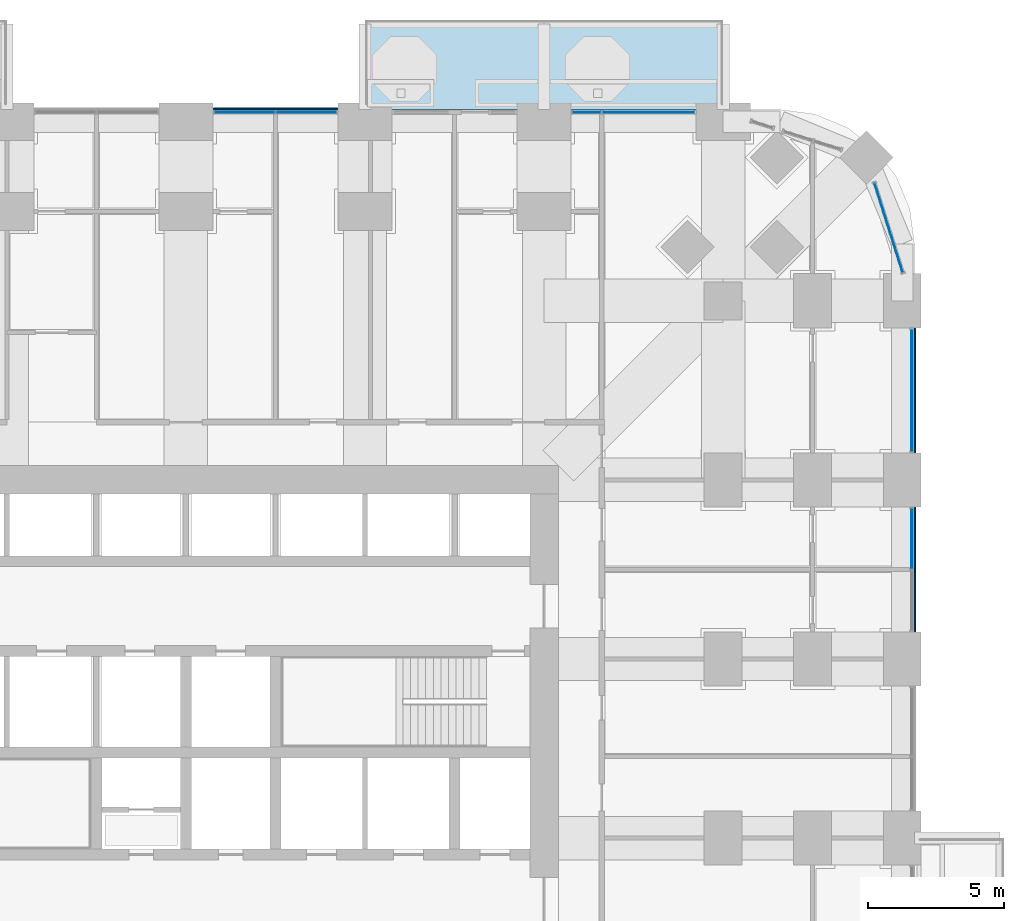
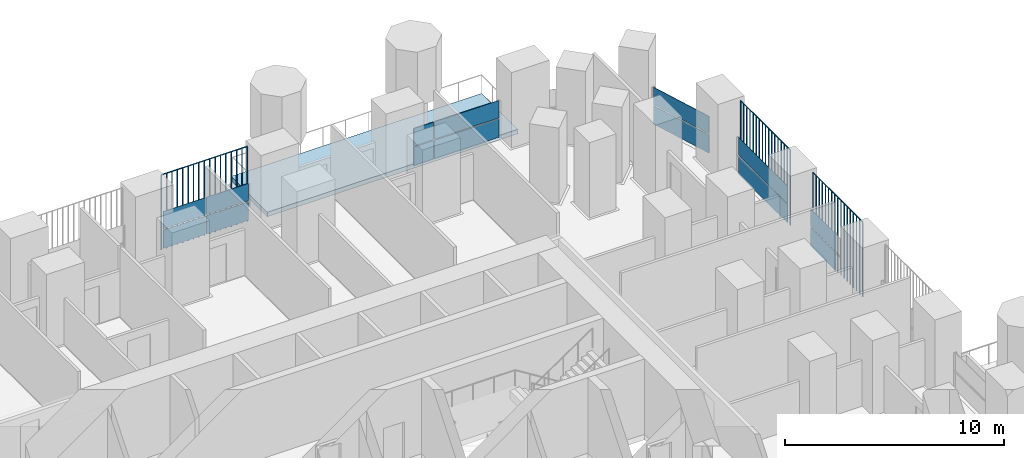
# One storey, part 15 of 27: 17 plates, 1 slab, 5 elements without a shape of their own.
"""IFC4 building model written with IfcOpenShell, lengths in metres."""

from ifc_helpers import new_model, si_unit, direction, frame, origin, origin_2d, place, context, subcontext, project, spatial, polyline, rectangle, outline, extrude, material, layer, layer_set, type_object, element, aggregate, save


model = new_model("IFC4")

# Units and contexts
model_context = context("Model", 3, precision=1e-05, world=origin(), true_north=direction((0.0, 1.0)))
body_context = subcontext(model_context, "Body", "Model", "MODEL_VIEW")
ifc_project = project(units=[si_unit("LENGTHUNIT", "METRE"), si_unit("AREAUNIT", "SQUARE_METRE"), si_unit("VOLUMEUNIT", "CUBIC_METRE"), si_unit("PLANEANGLEUNIT", "RADIAN"), si_unit("MASSUNIT", "GRAM", prefix="KILO")], contexts=[model_context])

# Site, building, storey
site_placement = place(None, origin())
site = spatial("IfcSite", under=ifc_project, at=site_placement, CompositionType="ELEMENT")
building_placement = place(site_placement, origin())
building = spatial("IfcBuilding", under=site, at=building_placement, Name="Cobogo Forest Laboratory Tower", CompositionType="ELEMENT")
storey_placement = place(building_placement, frame((0.0, 0.0, 71.699951171875)))
storey = spatial("IfcBuildingStorey", under=building, at=storey_placement, Name="L16", CompositionType="ELEMENT", Elevation=71.699951171875)

# Slab
ifc_material_1 = material(Name="Concrete HA-40 (C40/50)", Category="concrete")
ifc_layer_1 = layer(ifc_material_1, 0.25)
ifc_layer_set_1 = layer_set([ifc_layer_1], Name="Balcony slab 250")
slab_type = type_object("IfcSlabType", Name="Balcony slab 250", PredefinedType="FLOOR", material=ifc_layer_set_1)
slab_placement = place(storey_placement, frame((0.0, 0.0, -0.25)))
element("IfcSlab", 1, at=slab_placement, inside=storey, type_object=slab_type, Name="Balcony BAL-N2 L16", PredefinedType="FLOOR", context=body_context, shape_type="SweptSolid", body=[
    extrude(outline(polyline([(33.0, 46.64990234375), (46.199951171875, 46.64990234375), (46.199951171875, 49.949951171875), (33.0, 49.949951171875), (33.0, 46.64990234375)])), origin(), (0.0, 0.0, 1.0), 0.25),
])

# Curtain wall, plates
ifc_material_2 = material(Name="Aluminium curtain wall", Category="aluminium")
curtain_wall_type = type_object("IfcCurtainWallType", Name="CW-1 unitised curtain wall, clear glazing, laboratory floors zones A and B", PredefinedType="USERDEFINED", material=ifc_material_2)
curtain_wall_1_placement = place(storey_placement, origin())
curtain_wall_1 = element("IfcCurtainWall", 2, at=curtain_wall_1_placement, inside=storey, type_object=curtain_wall_type, Name="Curtain wall 13 L16", ObjectType="UNITISED CURTAIN WALL", PredefinedType="USERDEFINED")
ifc_material_3 = material(Name="Clear insulated glass", Category="glass")
ifc_layer_2 = layer(ifc_material_3, 0.028076171875)
ifc_layer_set_2 = layer_set([ifc_layer_2], Name="GP-1 clear insulated glass unit 28")
plate_type_1 = type_object("IfcPlateType", Name="GP-1 clear insulated glass unit 28", PredefinedType="CURTAIN_PANEL", material=ifc_layer_set_2)
plate_1_placement = place(storey_placement, frame((53.14990234375, 30.8349609375, 0.0), z_axis=(0.0, 0.0, 1.0), x_axis=(0.0, 1.0, 0.0)))
plate_1 = element("IfcPlate", 3, at=plate_1_placement, type_object=plate_type_1, Name="CW-1 panel 2.1", PredefinedType="CURTAIN_PANEL", context=body_context, shape_type="SweptSolid", body=[
    extrude(rectangle(XDim=2.2099609375, YDim=0.028076171875, at=origin_2d()), origin(), (0.0, 0.0, 1.0), 1.02001953125),
])
plate_2_placement = place(storey_placement, frame((53.14990234375, 30.8349609375, 1.080078125), z_axis=(0.0, 0.0, 1.0), x_axis=(0.0, 1.0, 0.0)))
plate_2 = element("IfcPlate", 4, at=plate_2_placement, type_object=plate_type_1, Name="CW-1 panel 2.2", PredefinedType="CURTAIN_PANEL", context=body_context, shape_type="SweptSolid", body=[
    extrude(rectangle(XDim=2.2099609375, YDim=0.028076171875, at=origin_2d()), origin(), (0.0, 0.0, 1.0), 0.969970703125),
])
aggregate(curtain_wall_1, [plate_1, plate_2])

curtain_wall_2_placement = place(storey_placement, origin())
curtain_wall_2 = element("IfcCurtainWall", 5, at=curtain_wall_2_placement, inside=storey, type_object=curtain_wall_type, Name="Curtain wall 14 L16", ObjectType="UNITISED CURTAIN WALL", PredefinedType="USERDEFINED")
plate_3_placement = place(storey_placement, frame((53.14990234375, 36.300048828125, 0.0), z_axis=(0.0, 0.0, 1.0), x_axis=(0.0, 1.0, 0.0)))
plate_3 = element("IfcPlate", 6, at=plate_3_placement, type_object=plate_type_1, Name="CW-1 panel 1.1", PredefinedType="CURTAIN_PANEL", context=body_context, shape_type="SweptSolid", body=[
    extrude(rectangle(XDim=4.47998046875, YDim=0.028076171875, at=origin_2d()), origin(), (0.0, 0.0, 1.0), 1.02001953125),
])
plate_4_placement = place(storey_placement, frame((53.14990234375, 36.300048828125, 1.080078125), z_axis=(0.0, 0.0, 1.0), x_axis=(0.0, 1.0, 0.0)))
plate_4 = element("IfcPlate", 7, at=plate_4_placement, type_object=plate_type_1, Name="CW-1 panel 1.2", PredefinedType="CURTAIN_PANEL", context=body_context, shape_type="SweptSolid", body=[
    extrude(rectangle(XDim=4.47998046875, YDim=0.028076171875, at=origin_2d()), origin(), (0.0, 0.0, 1.0), 0.969970703125),
])
aggregate(curtain_wall_2, [plate_3, plate_4])

curtain_wall_3_placement = place(storey_placement, origin())
curtain_wall_3 = element("IfcCurtainWall", 8, at=curtain_wall_3_placement, inside=storey, type_object=curtain_wall_type, Name="Curtain wall 15 L16", ObjectType="UNITISED CURTAIN WALL", PredefinedType="USERDEFINED")
plate_5_placement = place(storey_placement, frame((52.299072265625, 42.294921875, 0.0), z_axis=(0.0, 0.0, 1.0), x_axis=(-0.301135433696, 0.953581381201, 0.0)))
plate_5 = element("IfcPlate", 9, at=plate_5_placement, type_object=plate_type_1, Name="CW-1 panel 1.1", PredefinedType="CURTAIN_PANEL", context=body_context, shape_type="SweptSolid", body=[
    extrude(rectangle(XDim=3.434814453125, YDim=0.028076171875, at=origin_2d()), origin(), (0.0, 0.0, 1.0), 1.02001953125),
])
plate_6_placement = place(storey_placement, frame((52.299072265625, 42.294921875, 1.080078125), z_axis=(0.0, 0.0, 1.0), x_axis=(-0.301135433696, 0.953581381201, 0.0)))
plate_6 = element("IfcPlate", 10, at=plate_6_placement, type_object=plate_type_1, Name="CW-1 panel 1.2", PredefinedType="CURTAIN_PANEL", context=body_context, shape_type="SweptSolid", body=[
    extrude(rectangle(XDim=3.434814453125, YDim=0.028076171875, at=origin_2d()), origin(), (0.0, 0.0, 1.0), 0.969970703125),
])
aggregate(curtain_wall_3, [plate_5, plate_6])

curtain_wall_4_placement = place(storey_placement, origin())
curtain_wall_4 = element("IfcCurtainWall", 11, at=curtain_wall_4_placement, inside=storey, type_object=curtain_wall_type, Name="Curtain wall 18 L16", ObjectType="UNITISED CURTAIN WALL", PredefinedType="USERDEFINED")
plate_7_placement = place(storey_placement, frame((43.447509765625, 46.550048828125, 0.0), z_axis=(0.0, 0.0, 1.0), x_axis=(-1.0, 0.0, 0.0)))
plate_7 = element("IfcPlate", 12, at=plate_7_placement, type_object=plate_type_1, Name="CW-1 panel 1.1", PredefinedType="CURTAIN_PANEL", context=body_context, shape_type="SweptSolid", body=[
    extrude(rectangle(XDim=3.385009765625, YDim=0.028076171875, at=origin_2d()), origin(), (0.0, 0.0, 1.0), 1.02001953125),
])
plate_8_placement = place(storey_placement, frame((43.447509765625, 46.550048828125, 1.080078125), z_axis=(0.0, 0.0, 1.0), x_axis=(-1.0, 0.0, 0.0)))
plate_8 = element("IfcPlate", 13, at=plate_8_placement, type_object=plate_type_1, Name="CW-1 panel 1.2", PredefinedType="CURTAIN_PANEL", context=body_context, shape_type="SweptSolid", body=[
    extrude(rectangle(XDim=3.385009765625, YDim=0.028076171875, at=origin_2d()), origin(), (0.0, 0.0, 1.0), 0.969970703125),
])
plate_9_placement = place(storey_placement, frame((41.177490234375, 46.550048828125, 0.0), z_axis=(0.0, 0.0, 1.0), x_axis=(-1.0, 0.0, 0.0)))
plate_9 = element("IfcPlate", 14, at=plate_9_placement, type_object=plate_type_1, Name="CW-1 panel 2.1", PredefinedType="CURTAIN_PANEL", context=body_context, shape_type="SweptSolid", body=[
    extrude(rectangle(XDim=1.034912109375, YDim=0.028076171875, at=origin_2d()), origin(), (0.0, 0.0, 1.0), 1.02001953125),
])
plate_10_placement = place(storey_placement, frame((41.177490234375, 46.550048828125, 1.080078125), z_axis=(0.0, 0.0, 1.0), x_axis=(-1.0, 0.0, 0.0)))
plate_10 = element("IfcPlate", 15, at=plate_10_placement, type_object=plate_type_1, Name="CW-1 panel 2.2", PredefinedType="CURTAIN_PANEL", context=body_context, shape_type="SweptSolid", body=[
    extrude(rectangle(XDim=1.034912109375, YDim=0.028076171875, at=origin_2d()), origin(), (0.0, 0.0, 1.0), 0.969970703125),
])
aggregate(curtain_wall_4, [plate_7, plate_8, plate_9, plate_10])

curtain_wall_5_placement = place(storey_placement, origin())
curtain_wall_5 = element("IfcCurtainWall", 16, at=curtain_wall_5_placement, inside=storey, type_object=curtain_wall_type, Name="Curtain wall 20 L16", ObjectType="UNITISED CURTAIN WALL", PredefinedType="USERDEFINED")
plate_11_placement = place(storey_placement, frame((30.8349609375, 46.550048828125, 0.0), z_axis=(0.0, 0.0, 1.0), x_axis=(-1.0, 0.0, 0.0)))
plate_11 = element("IfcPlate", 17, at=plate_11_placement, type_object=plate_type_1, Name="CW-1 panel 1.1", PredefinedType="CURTAIN_PANEL", context=body_context, shape_type="SweptSolid", body=[
    extrude(rectangle(XDim=2.2099609375, YDim=0.028076171875, at=origin_2d()), origin(), (0.0, 0.0, 1.0), 1.02001953125),
])
plate_12_placement = place(storey_placement, frame((30.8349609375, 46.550048828125, 1.080078125), z_axis=(0.0, 0.0, 1.0), x_axis=(-1.0, 0.0, 0.0)))
plate_12 = element("IfcPlate", 18, at=plate_12_placement, type_object=plate_type_1, Name="CW-1 panel 1.2", PredefinedType="CURTAIN_PANEL", context=body_context, shape_type="SweptSolid", body=[
    extrude(rectangle(XDim=2.2099609375, YDim=0.028076171875, at=origin_2d()), origin(), (0.0, 0.0, 1.0), 0.969970703125),
])
plate_13_placement = place(storey_placement, frame((28.56494140625, 46.550048828125, 0.0), z_axis=(0.0, 0.0, 1.0), x_axis=(-1.0, 0.0, 0.0)))
plate_13 = element("IfcPlate", 19, at=plate_13_placement, type_object=plate_type_1, Name="CW-1 panel 2.1", PredefinedType="CURTAIN_PANEL", context=body_context, shape_type="SweptSolid", body=[
    extrude(rectangle(XDim=2.2099609375, YDim=0.028076171875, at=origin_2d()), origin(), (0.0, 0.0, 1.0), 1.02001953125),
])
plate_14_placement = place(storey_placement, frame((28.56494140625, 46.550048828125, 1.080078125), z_axis=(0.0, 0.0, 1.0), x_axis=(-1.0, 0.0, 0.0)))
plate_14 = element("IfcPlate", 20, at=plate_14_placement, type_object=plate_type_1, Name="CW-1 panel 2.2", PredefinedType="CURTAIN_PANEL", context=body_context, shape_type="SweptSolid", body=[
    extrude(rectangle(XDim=2.2099609375, YDim=0.028076171875, at=origin_2d()), origin(), (0.0, 0.0, 1.0), 0.969970703125),
])
aggregate(curtain_wall_5, [plate_11, plate_12, plate_13, plate_14])

# Plates
ifc_material_4 = material(Name="Terracotta", Category="masonry")
plate_type_2 = type_object("IfcPlateType", Name="TB1 terracotta baguette screen", PredefinedType="USERDEFINED", material=ifc_material_4)
plate_15_placement = place(storey_placement, frame((53.27783203125, 27.43115234375, -0.14990234375)))
element("IfcPlate", 21, at=plate_15_placement, inside=storey, type_object=plate_type_2, Name="Baguette screen E4 L16", ObjectType="BAGUETTE SCREEN", PredefinedType="USERDEFINED", context=body_context, shape_type="SweptSolid", body=[
    extrude(outline(polyline([(0.02880859375, 0.011962890625), (0.011962890625, 0.02880859375), (-0.011962890625, 0.02880859375), (-0.02880859375, 0.011962890625), (-0.02880859375, -0.011962890625), (-0.011962890625, -0.02880859375), (0.011962890625, -0.02880859375), (0.02880859375, -0.011962890625), (0.02880859375, 0.011962890625)])), frame((0.0, 0.0, 4.168701171875), z_axis=(0.0, 1.0, 0.0), x_axis=(-1.0, 0.0, 0.0)), (0.0, 0.0, 1.0), 4.53759765625),
    extrude(outline(polyline([(0.02880859375, 0.011962890625), (0.011962890625, 0.02880859375), (-0.011962890625, 0.02880859375), (-0.02880859375, 0.011962890625), (-0.02880859375, -0.011962890625), (-0.011962890625, -0.02880859375), (0.011962890625, -0.02880859375), (0.02880859375, -0.011962890625), (0.02880859375, 0.011962890625)])), origin(), (0.0, 0.0, 1.0), 4.137451171875),
    extrude(outline(polyline([(0.02880859375, 0.011962890625), (0.011962890625, 0.02880859375), (-0.011962890625, 0.02880859375), (-0.02880859375, 0.011962890625), (-0.02880859375, -0.011962890625), (-0.011962890625, -0.02880859375), (0.011962890625, -0.02880859375), (0.02880859375, -0.011962890625), (0.02880859375, 0.011962890625)])), frame((0.0, 0.28369140625, 0.0)), (0.0, 0.0, 1.0), 4.137451171875),
    extrude(outline(polyline([(0.02880859375, 0.011962890625), (0.011962890625, 0.02880859375), (-0.011962890625, 0.02880859375), (-0.02880859375, 0.011962890625), (-0.02880859375, -0.011962890625), (-0.011962890625, -0.02880859375), (0.011962890625, -0.02880859375), (0.02880859375, -0.011962890625), (0.02880859375, 0.011962890625)])), frame((0.0, 0.567138671875, 0.0)), (0.0, 0.0, 1.0), 4.137451171875),
    extrude(outline(polyline([(0.02880859375, 0.011962890625), (0.011962890625, 0.02880859375), (-0.011962890625, 0.02880859375), (-0.02880859375, 0.011962890625), (-0.02880859375, -0.011962890625), (-0.011962890625, -0.02880859375), (0.011962890625, -0.02880859375), (0.02880859375, -0.011962890625), (0.02880859375, 0.011962890625)])), frame((0.0, 0.850830078125, 0.0)), (0.0, 0.0, 1.0), 4.137451171875),
    extrude(outline(polyline([(0.02880859375, 0.011962890625), (0.011962890625, 0.02880859375), (-0.011962890625, 0.02880859375), (-0.02880859375, 0.011962890625), (-0.02880859375, -0.011962890625), (-0.011962890625, -0.02880859375), (0.011962890625, -0.02880859375), (0.02880859375, -0.011962890625), (0.02880859375, 0.011962890625)])), frame((0.0, 1.13427734375, 0.0)), (0.0, 0.0, 1.0), 4.137451171875),
    extrude(outline(polyline([(0.02880859375, 0.011962890625), (0.011962890625, 0.02880859375), (-0.011962890625, 0.02880859375), (-0.02880859375, 0.011962890625), (-0.02880859375, -0.011962890625), (-0.011962890625, -0.02880859375), (0.011962890625, -0.02880859375), (0.02880859375, -0.011962890625), (0.02880859375, 0.011962890625)])), frame((0.0, 1.41796875, 0.0)), (0.0, 0.0, 1.0), 4.137451171875),
    extrude(outline(polyline([(0.02880859375, 0.011962890625), (0.011962890625, 0.02880859375), (-0.011962890625, 0.02880859375), (-0.02880859375, 0.011962890625), (-0.02880859375, -0.011962890625), (-0.011962890625, -0.02880859375), (0.011962890625, -0.02880859375), (0.02880859375, -0.011962890625), (0.02880859375, 0.011962890625)])), frame((0.0, 1.70166015625, 0.0)), (0.0, 0.0, 1.0), 4.137451171875),
    extrude(outline(polyline([(0.02880859375, 0.011962890625), (0.011962890625, 0.02880859375), (-0.011962890625, 0.02880859375), (-0.02880859375, 0.011962890625), (-0.02880859375, -0.011962890625), (-0.011962890625, -0.02880859375), (0.011962890625, -0.02880859375), (0.02880859375, -0.011962890625), (0.02880859375, 0.011962890625)])), frame((0.0, 1.985107421875, 0.0)), (0.0, 0.0, 1.0), 4.137451171875),
    extrude(outline(polyline([(0.02880859375, 0.011962890625), (0.011962890625, 0.02880859375), (-0.011962890625, 0.02880859375), (-0.02880859375, 0.011962890625), (-0.02880859375, -0.011962890625), (-0.011962890625, -0.02880859375), (0.011962890625, -0.02880859375), (0.02880859375, -0.011962890625), (0.02880859375, 0.011962890625)])), frame((0.0, 2.268798828125, 0.0)), (0.0, 0.0, 1.0), 4.137451171875),
    extrude(outline(polyline([(0.02880859375, 0.011962890625), (0.011962890625, 0.02880859375), (-0.011962890625, 0.02880859375), (-0.02880859375, 0.011962890625), (-0.02880859375, -0.011962890625), (-0.011962890625, -0.02880859375), (0.011962890625, -0.02880859375), (0.02880859375, -0.011962890625), (0.02880859375, 0.011962890625)])), frame((0.0, 2.552490234375, 0.0)), (0.0, 0.0, 1.0), 4.137451171875),
    extrude(outline(polyline([(0.02880859375, 0.011962890625), (0.011962890625, 0.02880859375), (-0.011962890625, 0.02880859375), (-0.02880859375, 0.011962890625), (-0.02880859375, -0.011962890625), (-0.011962890625, -0.02880859375), (0.011962890625, -0.02880859375), (0.02880859375, -0.011962890625), (0.02880859375, 0.011962890625)])), frame((0.0, 2.8359375, 0.0)), (0.0, 0.0, 1.0), 4.137451171875),
    extrude(outline(polyline([(0.02880859375, 0.011962890625), (0.011962890625, 0.02880859375), (-0.011962890625, 0.02880859375), (-0.02880859375, 0.011962890625), (-0.02880859375, -0.011962890625), (-0.011962890625, -0.02880859375), (0.011962890625, -0.02880859375), (0.02880859375, -0.011962890625), (0.02880859375, 0.011962890625)])), frame((0.0, 3.11962890625, 0.0)), (0.0, 0.0, 1.0), 4.137451171875),
    extrude(outline(polyline([(0.02880859375, 0.011962890625), (0.011962890625, 0.02880859375), (-0.011962890625, 0.02880859375), (-0.02880859375, 0.011962890625), (-0.02880859375, -0.011962890625), (-0.011962890625, -0.02880859375), (0.011962890625, -0.02880859375), (0.02880859375, -0.011962890625), (0.02880859375, 0.011962890625)])), frame((0.0, 3.4033203125, 0.0)), (0.0, 0.0, 1.0), 4.137451171875),
    extrude(outline(polyline([(0.02880859375, 0.011962890625), (0.011962890625, 0.02880859375), (-0.011962890625, 0.02880859375), (-0.02880859375, 0.011962890625), (-0.02880859375, -0.011962890625), (-0.011962890625, -0.02880859375), (0.011962890625, -0.02880859375), (0.02880859375, -0.011962890625), (0.02880859375, 0.011962890625)])), frame((0.0, 3.686767578125, 0.0)), (0.0, 0.0, 1.0), 4.137451171875),
    extrude(outline(polyline([(0.02880859375, 0.011962890625), (0.011962890625, 0.02880859375), (-0.011962890625, 0.02880859375), (-0.02880859375, 0.011962890625), (-0.02880859375, -0.011962890625), (-0.011962890625, -0.02880859375), (0.011962890625, -0.02880859375), (0.02880859375, -0.011962890625), (0.02880859375, 0.011962890625)])), frame((0.0, 3.970458984375, 0.0)), (0.0, 0.0, 1.0), 4.137451171875),
    extrude(outline(polyline([(0.02880859375, 0.011962890625), (0.011962890625, 0.02880859375), (-0.011962890625, 0.02880859375), (-0.02880859375, 0.011962890625), (-0.02880859375, -0.011962890625), (-0.011962890625, -0.02880859375), (0.011962890625, -0.02880859375), (0.02880859375, -0.011962890625), (0.02880859375, 0.011962890625)])), frame((0.0, 4.25390625, 0.0)), (0.0, 0.0, 1.0), 4.137451171875),
    extrude(outline(polyline([(0.02880859375, 0.011962890625), (0.011962890625, 0.02880859375), (-0.011962890625, 0.02880859375), (-0.02880859375, 0.011962890625), (-0.02880859375, -0.011962890625), (-0.011962890625, -0.02880859375), (0.011962890625, -0.02880859375), (0.02880859375, -0.011962890625), (0.02880859375, 0.011962890625)])), frame((0.0, 4.53759765625, 0.0)), (0.0, 0.0, 1.0), 4.137451171875),
])
plate_16_placement = place(storey_placement, frame((53.27783203125, 34.03125, -0.14990234375)))
element("IfcPlate", 22, at=plate_16_placement, inside=storey, type_object=plate_type_2, Name="Baguette screen E5 L16", ObjectType="BAGUETTE SCREEN", PredefinedType="USERDEFINED", context=body_context, shape_type="SweptSolid", body=[
    extrude(outline(polyline([(0.02880859375, 0.011962890625), (0.011962890625, 0.02880859375), (-0.011962890625, 0.02880859375), (-0.02880859375, 0.011962890625), (-0.02880859375, -0.011962890625), (-0.011962890625, -0.02880859375), (0.011962890625, -0.02880859375), (0.02880859375, -0.011962890625), (0.02880859375, 0.011962890625)])), frame((0.0, 0.0, 4.168701171875), z_axis=(0.0, 1.0, 0.0), x_axis=(-1.0, 0.0, 0.0)), (0.0, 0.0, 1.0), 4.53759765625),
    extrude(outline(polyline([(0.02880859375, 0.011962890625), (0.011962890625, 0.02880859375), (-0.011962890625, 0.02880859375), (-0.02880859375, 0.011962890625), (-0.02880859375, -0.011962890625), (-0.011962890625, -0.02880859375), (0.011962890625, -0.02880859375), (0.02880859375, -0.011962890625), (0.02880859375, 0.011962890625)])), origin(), (0.0, 0.0, 1.0), 4.137451171875),
    extrude(outline(polyline([(0.02880859375, 0.011962890625), (0.011962890625, 0.02880859375), (-0.011962890625, 0.02880859375), (-0.02880859375, 0.011962890625), (-0.02880859375, -0.011962890625), (-0.011962890625, -0.02880859375), (0.011962890625, -0.02880859375), (0.02880859375, -0.011962890625), (0.02880859375, 0.011962890625)])), frame((0.0, 0.28369140625, 0.0)), (0.0, 0.0, 1.0), 4.137451171875),
    extrude(outline(polyline([(0.02880859375, 0.011962890625), (0.011962890625, 0.02880859375), (-0.011962890625, 0.02880859375), (-0.02880859375, 0.011962890625), (-0.02880859375, -0.011962890625), (-0.011962890625, -0.02880859375), (0.011962890625, -0.02880859375), (0.02880859375, -0.011962890625), (0.02880859375, 0.011962890625)])), frame((0.0, 0.567138671875, 0.0)), (0.0, 0.0, 1.0), 4.137451171875),
    extrude(outline(polyline([(0.02880859375, 0.011962890625), (0.011962890625, 0.02880859375), (-0.011962890625, 0.02880859375), (-0.02880859375, 0.011962890625), (-0.02880859375, -0.011962890625), (-0.011962890625, -0.02880859375), (0.011962890625, -0.02880859375), (0.02880859375, -0.011962890625), (0.02880859375, 0.011962890625)])), frame((0.0, 0.850830078125, 0.0)), (0.0, 0.0, 1.0), 4.137451171875),
    extrude(outline(polyline([(0.02880859375, 0.011962890625), (0.011962890625, 0.02880859375), (-0.011962890625, 0.02880859375), (-0.02880859375, 0.011962890625), (-0.02880859375, -0.011962890625), (-0.011962890625, -0.02880859375), (0.011962890625, -0.02880859375), (0.02880859375, -0.011962890625), (0.02880859375, 0.011962890625)])), frame((0.0, 1.13427734375, 0.0)), (0.0, 0.0, 1.0), 4.137451171875),
    extrude(outline(polyline([(0.02880859375, 0.011962890625), (0.011962890625, 0.02880859375), (-0.011962890625, 0.02880859375), (-0.02880859375, 0.011962890625), (-0.02880859375, -0.011962890625), (-0.011962890625, -0.02880859375), (0.011962890625, -0.02880859375), (0.02880859375, -0.011962890625), (0.02880859375, 0.011962890625)])), frame((0.0, 1.41796875, 0.0)), (0.0, 0.0, 1.0), 4.137451171875),
    extrude(outline(polyline([(0.02880859375, 0.011962890625), (0.011962890625, 0.02880859375), (-0.011962890625, 0.02880859375), (-0.02880859375, 0.011962890625), (-0.02880859375, -0.011962890625), (-0.011962890625, -0.02880859375), (0.011962890625, -0.02880859375), (0.02880859375, -0.011962890625), (0.02880859375, 0.011962890625)])), frame((0.0, 1.70166015625, 0.0)), (0.0, 0.0, 1.0), 4.137451171875),
    extrude(outline(polyline([(0.02880859375, 0.011962890625), (0.011962890625, 0.02880859375), (-0.011962890625, 0.02880859375), (-0.02880859375, 0.011962890625), (-0.02880859375, -0.011962890625), (-0.011962890625, -0.02880859375), (0.011962890625, -0.02880859375), (0.02880859375, -0.011962890625), (0.02880859375, 0.011962890625)])), frame((0.0, 1.985107421875, 0.0)), (0.0, 0.0, 1.0), 4.137451171875),
    extrude(outline(polyline([(0.02880859375, 0.011962890625), (0.011962890625, 0.02880859375), (-0.011962890625, 0.02880859375), (-0.02880859375, 0.011962890625), (-0.02880859375, -0.011962890625), (-0.011962890625, -0.02880859375), (0.011962890625, -0.02880859375), (0.02880859375, -0.011962890625), (0.02880859375, 0.011962890625)])), frame((0.0, 2.268798828125, 0.0)), (0.0, 0.0, 1.0), 4.137451171875),
    extrude(outline(polyline([(0.02880859375, 0.011962890625), (0.011962890625, 0.02880859375), (-0.011962890625, 0.02880859375), (-0.02880859375, 0.011962890625), (-0.02880859375, -0.011962890625), (-0.011962890625, -0.02880859375), (0.011962890625, -0.02880859375), (0.02880859375, -0.011962890625), (0.02880859375, 0.011962890625)])), frame((0.0, 2.552490234375, 0.0)), (0.0, 0.0, 1.0), 4.137451171875),
    extrude(outline(polyline([(0.02880859375, 0.011962890625), (0.011962890625, 0.02880859375), (-0.011962890625, 0.02880859375), (-0.02880859375, 0.011962890625), (-0.02880859375, -0.011962890625), (-0.011962890625, -0.02880859375), (0.011962890625, -0.02880859375), (0.02880859375, -0.011962890625), (0.02880859375, 0.011962890625)])), frame((0.0, 2.8359375, 0.0)), (0.0, 0.0, 1.0), 4.137451171875),
    extrude(outline(polyline([(0.02880859375, 0.011962890625), (0.011962890625, 0.02880859375), (-0.011962890625, 0.02880859375), (-0.02880859375, 0.011962890625), (-0.02880859375, -0.011962890625), (-0.011962890625, -0.02880859375), (0.011962890625, -0.02880859375), (0.02880859375, -0.011962890625), (0.02880859375, 0.011962890625)])), frame((0.0, 3.11962890625, 0.0)), (0.0, 0.0, 1.0), 4.137451171875),
    extrude(outline(polyline([(0.02880859375, 0.011962890625), (0.011962890625, 0.02880859375), (-0.011962890625, 0.02880859375), (-0.02880859375, 0.011962890625), (-0.02880859375, -0.011962890625), (-0.011962890625, -0.02880859375), (0.011962890625, -0.02880859375), (0.02880859375, -0.011962890625), (0.02880859375, 0.011962890625)])), frame((0.0, 3.4033203125, 0.0)), (0.0, 0.0, 1.0), 4.137451171875),
    extrude(outline(polyline([(0.02880859375, 0.011962890625), (0.011962890625, 0.02880859375), (-0.011962890625, 0.02880859375), (-0.02880859375, 0.011962890625), (-0.02880859375, -0.011962890625), (-0.011962890625, -0.02880859375), (0.011962890625, -0.02880859375), (0.02880859375, -0.011962890625), (0.02880859375, 0.011962890625)])), frame((0.0, 3.686767578125, 0.0)), (0.0, 0.0, 1.0), 4.137451171875),
    extrude(outline(polyline([(0.02880859375, 0.011962890625), (0.011962890625, 0.02880859375), (-0.011962890625, 0.02880859375), (-0.02880859375, 0.011962890625), (-0.02880859375, -0.011962890625), (-0.011962890625, -0.02880859375), (0.011962890625, -0.02880859375), (0.02880859375, -0.011962890625), (0.02880859375, 0.011962890625)])), frame((0.0, 3.970458984375, 0.0)), (0.0, 0.0, 1.0), 4.137451171875),
    extrude(outline(polyline([(0.02880859375, 0.011962890625), (0.011962890625, 0.02880859375), (-0.011962890625, 0.02880859375), (-0.02880859375, 0.011962890625), (-0.02880859375, -0.011962890625), (-0.011962890625, -0.02880859375), (0.011962890625, -0.02880859375), (0.02880859375, -0.011962890625), (0.02880859375, 0.011962890625)])), frame((0.0, 4.25390625, 0.0)), (0.0, 0.0, 1.0), 4.137451171875),
    extrude(outline(polyline([(0.02880859375, 0.011962890625), (0.011962890625, 0.02880859375), (-0.011962890625, 0.02880859375), (-0.02880859375, 0.011962890625), (-0.02880859375, -0.011962890625), (-0.011962890625, -0.02880859375), (0.011962890625, -0.02880859375), (0.02880859375, -0.011962890625), (0.02880859375, 0.011962890625)])), frame((0.0, 4.53759765625, 0.0)), (0.0, 0.0, 1.0), 4.137451171875),
])
plate_17_placement = place(storey_placement, frame((27.43115234375, 46.677978515625, -0.14990234375)))
element("IfcPlate", 23, at=plate_17_placement, inside=storey, type_object=plate_type_2, Name="Baguette screen N4 L16", ObjectType="BAGUETTE SCREEN", PredefinedType="USERDEFINED", context=body_context, shape_type="SweptSolid", body=[
    extrude(outline(polyline([(0.02880859375, 0.011962890625), (0.011962890625, 0.02880859375), (-0.011962890625, 0.02880859375), (-0.02880859375, 0.011962890625), (-0.02880859375, -0.011962890625), (-0.011962890625, -0.02880859375), (0.011962890625, -0.02880859375), (0.02880859375, -0.011962890625), (0.02880859375, 0.011962890625)])), frame((0.0, 0.0, 4.168701171875), z_axis=(1.0, 0.0, 0.0), x_axis=(0.0, 1.0, 0.0)), (0.0, 0.0, 1.0), 4.53759765625),
    extrude(outline(polyline([(0.02880859375, 0.011962890625), (0.011962890625, 0.02880859375), (-0.011962890625, 0.02880859375), (-0.02880859375, 0.011962890625), (-0.02880859375, -0.011962890625), (-0.011962890625, -0.02880859375), (0.011962890625, -0.02880859375), (0.02880859375, -0.011962890625), (0.02880859375, 0.011962890625)])), origin(), (0.0, 0.0, 1.0), 4.137451171875),
    extrude(outline(polyline([(0.02880859375, 0.011962890625), (0.011962890625, 0.02880859375), (-0.011962890625, 0.02880859375), (-0.02880859375, 0.011962890625), (-0.02880859375, -0.011962890625), (-0.011962890625, -0.02880859375), (0.011962890625, -0.02880859375), (0.02880859375, -0.011962890625), (0.02880859375, 0.011962890625)])), frame((0.28369140625, 0.0, 0.0)), (0.0, 0.0, 1.0), 4.137451171875),
    extrude(outline(polyline([(0.02880859375, 0.011962890625), (0.011962890625, 0.02880859375), (-0.011962890625, 0.02880859375), (-0.02880859375, 0.011962890625), (-0.02880859375, -0.011962890625), (-0.011962890625, -0.02880859375), (0.011962890625, -0.02880859375), (0.02880859375, -0.011962890625), (0.02880859375, 0.011962890625)])), frame((0.567138671875, 0.0, 0.0)), (0.0, 0.0, 1.0), 4.137451171875),
    extrude(outline(polyline([(0.02880859375, 0.011962890625), (0.011962890625, 0.02880859375), (-0.011962890625, 0.02880859375), (-0.02880859375, 0.011962890625), (-0.02880859375, -0.011962890625), (-0.011962890625, -0.02880859375), (0.011962890625, -0.02880859375), (0.02880859375, -0.011962890625), (0.02880859375, 0.011962890625)])), frame((0.850830078125, 0.0, 0.0)), (0.0, 0.0, 1.0), 4.137451171875),
    extrude(outline(polyline([(0.02880859375, 0.011962890625), (0.011962890625, 0.02880859375), (-0.011962890625, 0.02880859375), (-0.02880859375, 0.011962890625), (-0.02880859375, -0.011962890625), (-0.011962890625, -0.02880859375), (0.011962890625, -0.02880859375), (0.02880859375, -0.011962890625), (0.02880859375, 0.011962890625)])), frame((1.13427734375, 0.0, 0.0)), (0.0, 0.0, 1.0), 4.137451171875),
    extrude(outline(polyline([(0.02880859375, 0.011962890625), (0.011962890625, 0.02880859375), (-0.011962890625, 0.02880859375), (-0.02880859375, 0.011962890625), (-0.02880859375, -0.011962890625), (-0.011962890625, -0.02880859375), (0.011962890625, -0.02880859375), (0.02880859375, -0.011962890625), (0.02880859375, 0.011962890625)])), frame((1.41796875, 0.0, 0.0)), (0.0, 0.0, 1.0), 4.137451171875),
    extrude(outline(polyline([(0.02880859375, 0.011962890625), (0.011962890625, 0.02880859375), (-0.011962890625, 0.02880859375), (-0.02880859375, 0.011962890625), (-0.02880859375, -0.011962890625), (-0.011962890625, -0.02880859375), (0.011962890625, -0.02880859375), (0.02880859375, -0.011962890625), (0.02880859375, 0.011962890625)])), frame((1.70166015625, 0.0, 0.0)), (0.0, 0.0, 1.0), 4.137451171875),
    extrude(outline(polyline([(0.02880859375, 0.011962890625), (0.011962890625, 0.02880859375), (-0.011962890625, 0.02880859375), (-0.02880859375, 0.011962890625), (-0.02880859375, -0.011962890625), (-0.011962890625, -0.02880859375), (0.011962890625, -0.02880859375), (0.02880859375, -0.011962890625), (0.02880859375, 0.011962890625)])), frame((1.985107421875, 0.0, 0.0)), (0.0, 0.0, 1.0), 4.137451171875),
    extrude(outline(polyline([(0.02880859375, 0.011962890625), (0.011962890625, 0.02880859375), (-0.011962890625, 0.02880859375), (-0.02880859375, 0.011962890625), (-0.02880859375, -0.011962890625), (-0.011962890625, -0.02880859375), (0.011962890625, -0.02880859375), (0.02880859375, -0.011962890625), (0.02880859375, 0.011962890625)])), frame((2.268798828125, 0.0, 0.0)), (0.0, 0.0, 1.0), 4.137451171875),
    extrude(outline(polyline([(0.02880859375, 0.011962890625), (0.011962890625, 0.02880859375), (-0.011962890625, 0.02880859375), (-0.02880859375, 0.011962890625), (-0.02880859375, -0.011962890625), (-0.011962890625, -0.02880859375), (0.011962890625, -0.02880859375), (0.02880859375, -0.011962890625), (0.02880859375, 0.011962890625)])), frame((2.552490234375, 0.0, 0.0)), (0.0, 0.0, 1.0), 4.137451171875),
    extrude(outline(polyline([(0.02880859375, 0.011962890625), (0.011962890625, 0.02880859375), (-0.011962890625, 0.02880859375), (-0.02880859375, 0.011962890625), (-0.02880859375, -0.011962890625), (-0.011962890625, -0.02880859375), (0.011962890625, -0.02880859375), (0.02880859375, -0.011962890625), (0.02880859375, 0.011962890625)])), frame((2.8359375, 0.0, 0.0)), (0.0, 0.0, 1.0), 4.137451171875),
    extrude(outline(polyline([(0.02880859375, 0.011962890625), (0.011962890625, 0.02880859375), (-0.011962890625, 0.02880859375), (-0.02880859375, 0.011962890625), (-0.02880859375, -0.011962890625), (-0.011962890625, -0.02880859375), (0.011962890625, -0.02880859375), (0.02880859375, -0.011962890625), (0.02880859375, 0.011962890625)])), frame((3.11962890625, 0.0, 0.0)), (0.0, 0.0, 1.0), 4.137451171875),
    extrude(outline(polyline([(0.02880859375, 0.011962890625), (0.011962890625, 0.02880859375), (-0.011962890625, 0.02880859375), (-0.02880859375, 0.011962890625), (-0.02880859375, -0.011962890625), (-0.011962890625, -0.02880859375), (0.011962890625, -0.02880859375), (0.02880859375, -0.011962890625), (0.02880859375, 0.011962890625)])), frame((3.4033203125, 0.0, 0.0)), (0.0, 0.0, 1.0), 4.137451171875),
    extrude(outline(polyline([(0.02880859375, 0.011962890625), (0.011962890625, 0.02880859375), (-0.011962890625, 0.02880859375), (-0.02880859375, 0.011962890625), (-0.02880859375, -0.011962890625), (-0.011962890625, -0.02880859375), (0.011962890625, -0.02880859375), (0.02880859375, -0.011962890625), (0.02880859375, 0.011962890625)])), frame((3.686767578125, 0.0, 0.0)), (0.0, 0.0, 1.0), 4.137451171875),
    extrude(outline(polyline([(0.02880859375, 0.011962890625), (0.011962890625, 0.02880859375), (-0.011962890625, 0.02880859375), (-0.02880859375, 0.011962890625), (-0.02880859375, -0.011962890625), (-0.011962890625, -0.02880859375), (0.011962890625, -0.02880859375), (0.02880859375, -0.011962890625), (0.02880859375, 0.011962890625)])), frame((3.970458984375, 0.0, 0.0)), (0.0, 0.0, 1.0), 4.137451171875),
    extrude(outline(polyline([(0.02880859375, 0.011962890625), (0.011962890625, 0.02880859375), (-0.011962890625, 0.02880859375), (-0.02880859375, 0.011962890625), (-0.02880859375, -0.011962890625), (-0.011962890625, -0.02880859375), (0.011962890625, -0.02880859375), (0.02880859375, -0.011962890625), (0.02880859375, 0.011962890625)])), frame((4.25390625, 0.0, 0.0)), (0.0, 0.0, 1.0), 4.137451171875),
    extrude(outline(polyline([(0.02880859375, 0.011962890625), (0.011962890625, 0.02880859375), (-0.011962890625, 0.02880859375), (-0.02880859375, 0.011962890625), (-0.02880859375, -0.011962890625), (-0.011962890625, -0.02880859375), (0.011962890625, -0.02880859375), (0.02880859375, -0.011962890625), (0.02880859375, 0.011962890625)])), frame((4.53759765625, 0.0, 0.0)), (0.0, 0.0, 1.0), 4.137451171875),
])

save(model, "model.ifc")
